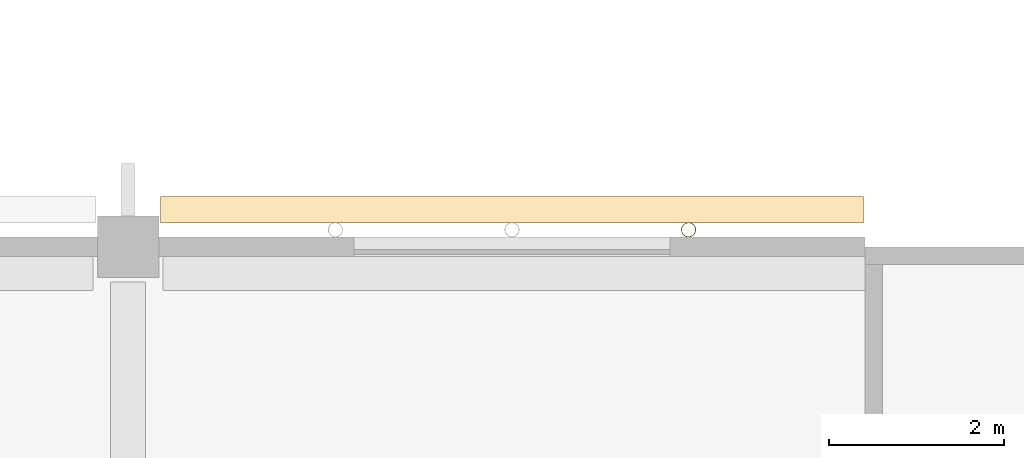
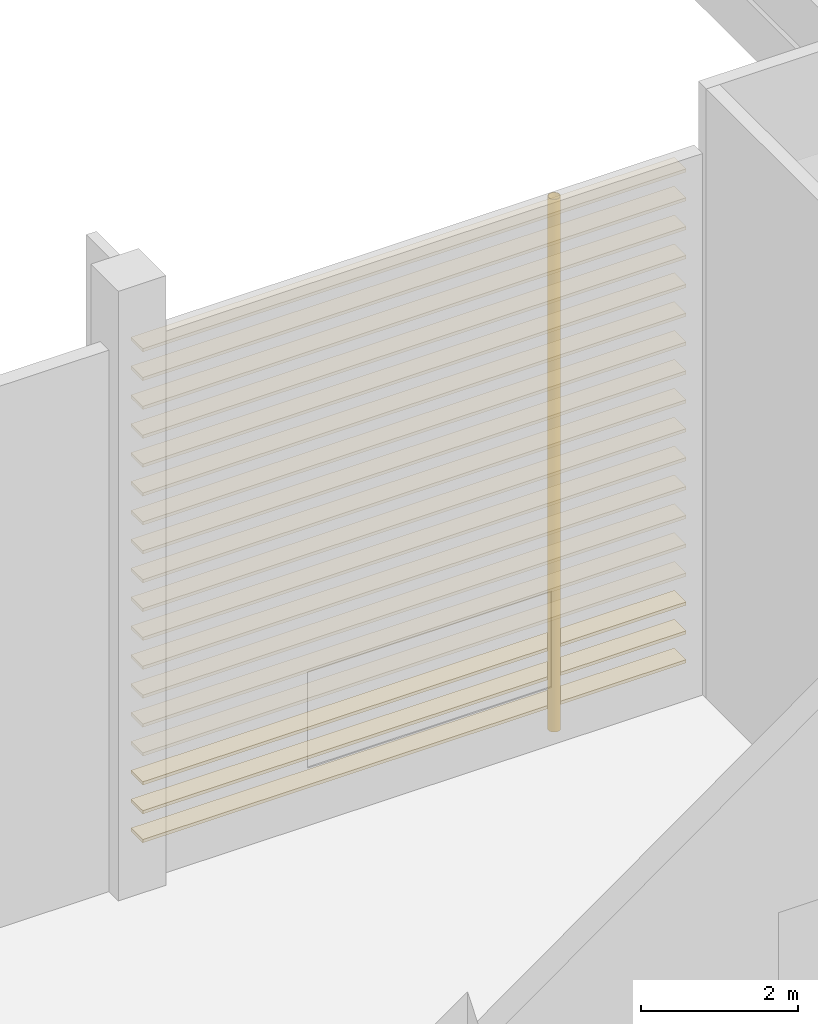
# One storey, part 91 of 114: 18 coverings, 1 shading device.
"""IFC4 building model written with IfcOpenShell, lengths in metres."""

from ifc_helpers import new_model, si_unit, direction, frame, origin, origin_2d, place, context, subcontext, project, spatial, rectangle, hollow_circle, extrude, material, material_profile, profile_set, type_object, element, save


model = new_model("IFC4")

# Units and contexts
model_context = context("Model", 3, precision=1e-05, world=origin(), true_north=direction((0.0, 1.0)))
body_context = subcontext(model_context, "Body", "Model", "MODEL_VIEW")
ifc_project = project(units=[si_unit("LENGTHUNIT", "METRE"), si_unit("AREAUNIT", "SQUARE_METRE"), si_unit("VOLUMEUNIT", "CUBIC_METRE"), si_unit("PLANEANGLEUNIT", "RADIAN"), si_unit("MASSUNIT", "GRAM", prefix="KILO")], contexts=[model_context])

# Site, building, storey
site_placement = place(None, origin())
site = spatial("IfcSite", under=ifc_project, at=site_placement, CompositionType="ELEMENT")
building_placement = place(site_placement, origin())
building = spatial("IfcBuilding", under=site, at=building_placement, Name="Almond Square Museum", CompositionType="ELEMENT")
storey_placement = place(building_placement, frame((0.0, 0.0, 10.5)))
storey = spatial("IfcBuildingStorey", under=building, at=storey_placement, Name="L02", CompositionType="ELEMENT", Elevation=10.5)

# Shading device
ifc_material_1 = material(Name="Structural steel S355", Category="steel")
ifc_material_profile_1 = material_profile(ifc_material_1, hollow_circle(Radius=0.084228515625, WallThickness=0.008056640625, at=origin_2d()))
ifc_profile_set_1 = profile_set([ifc_material_profile_1], Name="Structural steel S355")
shading_device_type = type_object("IfcShadingDeviceType", Name="Louvre post CHS 168.3 x 8", PredefinedType="USERDEFINED", material=ifc_profile_set_1)
shading_device_placement = place(storey_placement, frame((121.58740234375, 16.994140625, 0.0), z_axis=(0.0, 0.0, 1.0), x_axis=(1.0, 0.0, 0.0)))
element("IfcShadingDevice", 1, at=shading_device_placement, inside=storey, type_object=shading_device_type, Name="Louvre screen post", ObjectType="POST", PredefinedType="USERDEFINED", context=body_context, shape_type="SweptSolid", body=[
    extrude(hollow_circle(Radius=0.084228515625, WallThickness=0.008056640625, at=origin_2d()), origin(), (0.0, 0.0, 1.0), 8.300048828125),
])

# Coverings
ifc_material_2 = material(Name="Cedar timber louvre board", Category="wood")
ifc_material_profile_2 = material_profile(ifc_material_2, rectangle(XDim=0.300048828125, YDim=0.050048828125, at=origin_2d()))
ifc_profile_set_2 = profile_set([ifc_material_profile_2], Name="Cedar timber louvre board")
covering_type = type_object("IfcCoveringType", Name="Louvre screen board 300 x 50", PredefinedType="CLADDING", material=ifc_profile_set_2)
for number, where, z_axis, x_axis, name in (
    (2, (115.570068359375, 17.224365234375, 0.300048828125), (1.0, 0.0, 0.0), (0.0, 1.0, 0.0), "Louvre screen board"),
    (3, (115.570068359375, 17.224365234375, 0.75), (1.0, 0.0, 0.0), (0.0, 1.0, 0.0), "Louvre screen board"),
    (4, (115.570068359375, 17.224365234375, 1.199951171875), (1.0, 0.0, 0.0), (0.0, 1.0, 0.0), "Louvre screen board"),
    (5, (115.570068359375, 17.224365234375, 1.64990234375), (1.0, 0.0, 0.0), (0.0, 1.0, 0.0), "Louvre screen board"),
    (6, (115.570068359375, 17.224365234375, 2.10009765625), (1.0, 0.0, 0.0), (0.0, 1.0, 0.0), "Louvre screen board"),
    (7, (115.570068359375, 17.224365234375, 2.550048828125), (1.0, 0.0, 0.0), (0.0, 1.0, 0.0), "Louvre screen board"),
    (8, (115.570068359375, 17.224365234375, 3.0), (1.0, 0.0, 0.0), (0.0, 1.0, 0.0), "Louvre screen board"),
    (9, (115.570068359375, 17.224365234375, 3.449951171875), (1.0, 0.0, 0.0), (0.0, 1.0, 0.0), "Louvre screen board"),
    (10, (115.570068359375, 17.224365234375, 3.89990234375), (1.0, 0.0, 0.0), (0.0, 1.0, 0.0), "Louvre screen board"),
    (11, (115.570068359375, 17.224365234375, 4.35009765625), (1.0, 0.0, 0.0), (0.0, 1.0, 0.0), "Louvre screen board"),
    (12, (115.570068359375, 17.224365234375, 4.800048828125), (1.0, 0.0, 0.0), (0.0, 1.0, 0.0), "Louvre screen board"),
    (13, (115.570068359375, 17.224365234375, 5.25), (1.0, 0.0, 0.0), (0.0, 1.0, 0.0), "Louvre screen board"),
    (14, (115.570068359375, 17.224365234375, 5.699951171875), (1.0, 0.0, 0.0), (0.0, 1.0, 0.0), "Louvre screen board"),
    (15, (115.570068359375, 17.224365234375, 6.14990234375), (1.0, 0.0, 0.0), (0.0, 1.0, 0.0), "Louvre screen board"),
    (16, (115.570068359375, 17.224365234375, 6.60009765625), (1.0, 0.0, 0.0), (0.0, 1.0, 0.0), "Louvre screen board"),
    (17, (115.570068359375, 17.224365234375, 7.050048828125), (1.0, 0.0, 0.0), (0.0, 1.0, 0.0), "Louvre screen board"),
    (18, (115.570068359375, 17.224365234375, 7.5), (1.0, 0.0, 0.0), (0.0, 1.0, 0.0), "Louvre screen board"),
    (19, (115.570068359375, 17.224365234375, 7.949951171875), (1.0, 0.0, 0.0), (0.0, 1.0, 0.0), "Louvre screen board"),
):
    element("IfcCovering", number, at=place(storey_placement, frame(where, z_axis=z_axis, x_axis=x_axis)), inside=storey, type_object=covering_type, Name=name, PredefinedType="CLADDING", context=body_context, shape_type="SweptSolid", body=[
        extrude(rectangle(XDim=0.300048828125, YDim=0.050048828125, at=origin_2d()), origin(), (0.0, 0.0, 1.0), 8.010009765625),
    ])

save(model, "model.ifc")
